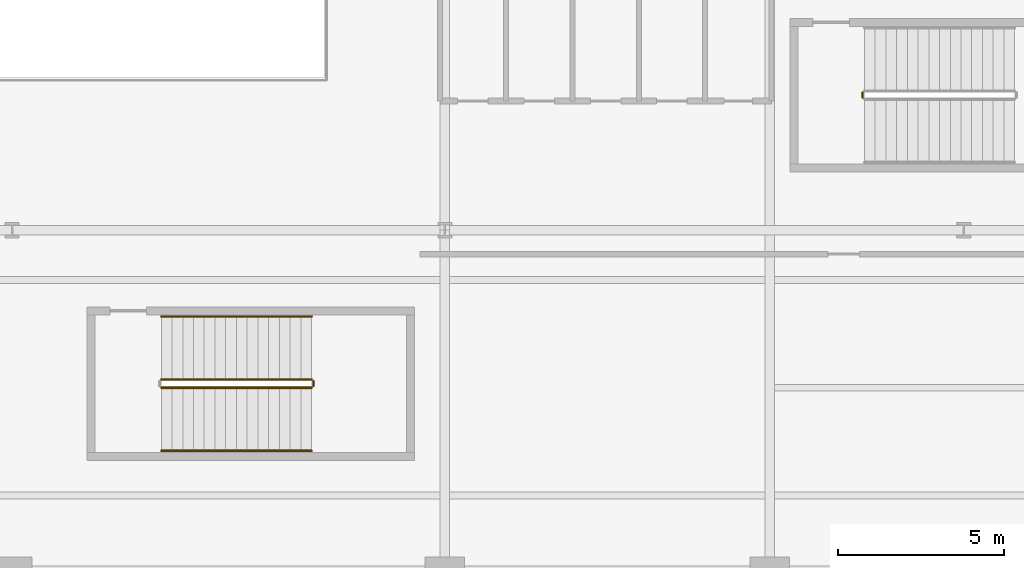
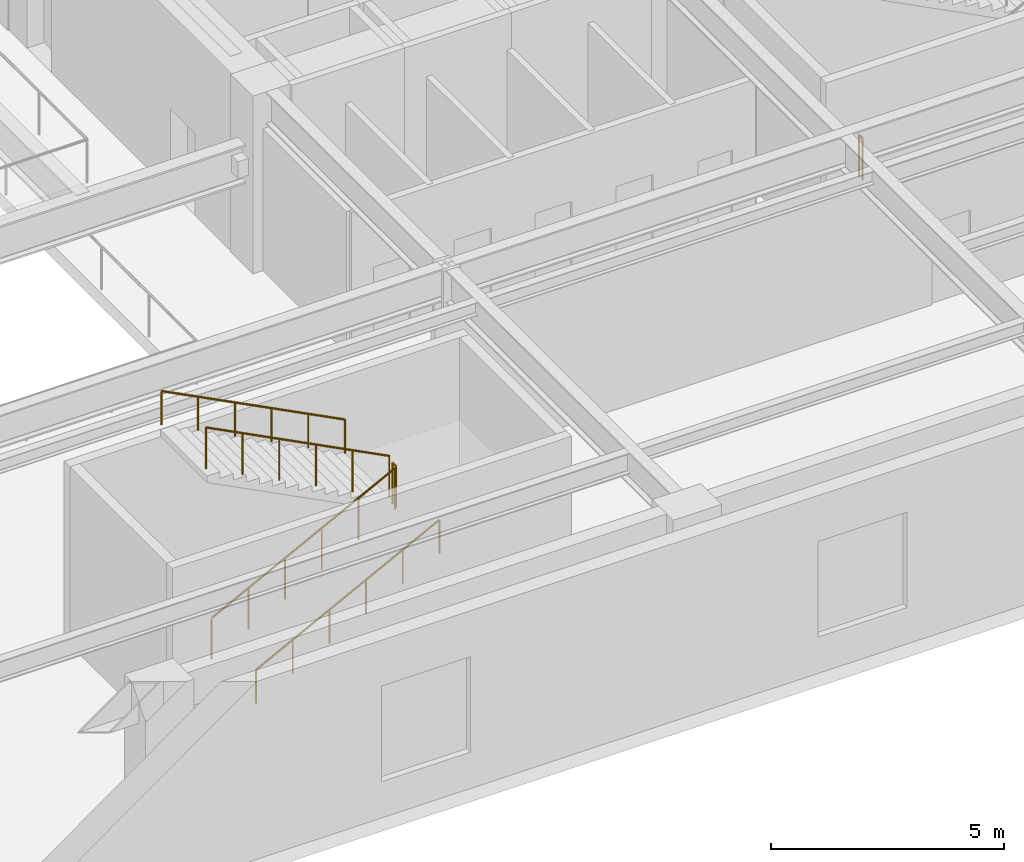
# One storey, part 15 of 21: 6 railings.
"""IFC4 building model written with IfcOpenShell, lengths in metres."""

from ifc_helpers import new_model, si_unit, direction, frame, origin, origin_2d, place, context, subcontext, project, spatial, circle, extrude, material, type_object, element, save


model = new_model("IFC4")

# Units and contexts
model_context = context("Model", 3, precision=1e-05, world=origin(), true_north=direction((0.0, 1.0)))
body_context = subcontext(model_context, "Body", "Model", "MODEL_VIEW")
ifc_project = project(units=[si_unit("LENGTHUNIT", "METRE"), si_unit("AREAUNIT", "SQUARE_METRE"), si_unit("VOLUMEUNIT", "CUBIC_METRE"), si_unit("PLANEANGLEUNIT", "RADIAN"), si_unit("MASSUNIT", "GRAM", prefix="KILO")], contexts=[model_context])

# Site, building, storey
site_placement = place(None, origin())
site = spatial("IfcSite", under=ifc_project, at=site_placement, CompositionType="ELEMENT")
building_placement = place(site_placement, origin())
building = spatial("IfcBuilding", under=site, at=building_placement, Name="Kolvaren Arena Tower", CompositionType="ELEMENT")
storey_placement = place(building_placement, frame((0.0, 0.0, 18.0)))
storey = spatial("IfcBuildingStorey", under=building, at=storey_placement, Name="L03", CompositionType="ELEMENT", Elevation=18.0)

# Railings
ifc_material_1 = material(Name="Painted galvanized steel", Category="steel")
railing_type_1 = type_object("IfcRailingType", Name="GUARD-ST-110", PredefinedType="GUARDRAIL", material=ifc_material_1)
railing_1_placement = place(storey_placement, frame((42.0, 6.75, 0.166748046875)))
element("IfcRailing", 1, at=railing_1_placement, inside=storey, type_object=railing_type_1, Name="L03 ST-A3 stair guard 1", PredefinedType="GUARDRAIL", context=body_context, shape_type="SweptSolid", body=[
    extrude(circle(Radius=0.02392578125, at=origin_2d()), frame((0.0, 0.0, 1.076171875), z_axis=(0.889247197123, 0.0, 0.45742695855), x_axis=(0.0, 1.0, 0.0)), (0.0, 0.0, 1.0), 5.100830078125),
    extrude(circle(Radius=0.02099609375, at=origin_2d()), origin(), (0.0, 0.0, 1.0), 1.052001953125),
    extrude(circle(Radius=0.02099609375, at=origin_2d()), frame((0.9072265625, 0.0, 0.466552734375)), (0.0, 0.0, 1.0), 1.052001953125),
    extrude(circle(Radius=0.02099609375, at=origin_2d()), frame((1.814453125, 0.0, 0.933349609375)), (0.0, 0.0, 1.0), 1.052001953125),
    extrude(circle(Radius=0.02099609375, at=origin_2d()), frame((2.721435546875, 0.0, 1.39990234375)), (0.0, 0.0, 1.0), 1.052001953125),
    extrude(circle(Radius=0.02099609375, at=origin_2d()), frame((3.628662109375, 0.0, 1.86669921875)), (0.0, 0.0, 1.0), 1.052001953125),
    extrude(circle(Radius=0.02099609375, at=origin_2d()), frame((4.535888671875, 0.0, 2.333251953125)), (0.0, 0.0, 1.0), 1.052001953125),
])
railing_2_placement = place(storey_placement, frame((46.5859375, 6.800048828125, 2.5)))
element("IfcRailing", 2, at=railing_2_placement, inside=storey, type_object=railing_type_1, Name="L03 ST-A3 stair guard 2", PredefinedType="GUARDRAIL", context=body_context, shape_type="SweptSolid", body=[
    extrude(circle(Radius=0.02392578125, at=origin_2d()), frame((0.0, 0.0, 1.076171875), z_axis=(0.0, 1.0, 0.0), x_axis=(-1.0, 0.0, 0.0)), (0.0, 0.0, 1.0), 0.14990234375),
    extrude(circle(Radius=0.02099609375, at=origin_2d()), origin(), (0.0, 0.0, 1.0), 1.052001953125),
    extrude(circle(Radius=0.02099609375, at=origin_2d()), frame((0.0, 0.14990234375, 0.0)), (0.0, 0.0, 1.0), 1.052001953125),
])
railing_3_placement = place(storey_placement, frame((46.535888671875, 7.0, 2.666748046875)))
element("IfcRailing", 3, at=railing_3_placement, inside=storey, type_object=railing_type_1, Name="L03 ST-A3 stair guard 3", PredefinedType="GUARDRAIL", context=body_context, shape_type="SweptSolid", body=[
    extrude(circle(Radius=0.02392578125, at=origin_2d()), frame((0.0, 0.0, 1.076171875), z_axis=(-0.889247197123, 0.0, 0.45742695855), x_axis=(0.0, -1.0, 0.0)), (0.0, 0.0, 1.0), 5.100830078125),
    extrude(circle(Radius=0.02099609375, at=origin_2d()), origin(), (0.0, 0.0, 1.0), 1.052001953125),
    extrude(circle(Radius=0.02099609375, at=origin_2d()), frame((-0.9072265625, 0.0, 0.466552734375)), (0.0, 0.0, 1.0), 1.052001953125),
    extrude(circle(Radius=0.02099609375, at=origin_2d()), frame((-1.814453125, 0.0, 0.933349609375)), (0.0, 0.0, 1.0), 1.052001953125),
    extrude(circle(Radius=0.02099609375, at=origin_2d()), frame((-2.721435546875, 0.0, 1.39990234375)), (0.0, 0.0, 1.0), 1.052001953125),
    extrude(circle(Radius=0.02099609375, at=origin_2d()), frame((-3.628662109375, 0.0, 1.86669921875)), (0.0, 0.0, 1.0), 1.052001953125),
    extrude(circle(Radius=0.02099609375, at=origin_2d()), frame((-4.535888671875, 0.0, 2.333251953125)), (0.0, 0.0, 1.0), 1.052001953125),
])
railing_4_placement = place(storey_placement, frame((63.14990234375, 15.5, 0.0)))
element("IfcRailing", 4, at=railing_4_placement, inside=storey, type_object=railing_type_1, Name="L03 ST-A4 stair guard 4", PredefinedType="GUARDRAIL", context=body_context, shape_type="SweptSolid", body=[
    extrude(circle(Radius=0.02392578125, at=origin_2d()), frame((0.0, 0.0, 1.076171875), z_axis=(0.0, 1.0, 0.0), x_axis=(-1.0, 0.0, 0.0)), (0.0, 0.0, 1.0), 0.14990234375),
    extrude(circle(Radius=0.02099609375, at=origin_2d()), origin(), (0.0, 0.0, 1.0), 1.052001953125),
    extrude(circle(Radius=0.02099609375, at=origin_2d()), frame((0.0, 0.14990234375, 0.0)), (0.0, 0.0, 1.0), 1.052001953125),
])
ifc_material_2 = material(Name="Brushed stainless steel handrail", Category="steel")
railing_type_2 = type_object("IfcRailingType", Name="HRAIL-900", PredefinedType="HANDRAIL", material=ifc_material_2)
railing_5_placement = place(storey_placement, frame((42.0, 4.85009765625, 0.166748046875)))
element("IfcRailing", 5, at=railing_5_placement, inside=storey, type_object=railing_type_2, Name="L03 ST-A3 stair handrail 1", PredefinedType="HANDRAIL", context=body_context, shape_type="SweptSolid", body=[
    extrude(circle(Radius=0.02392578125, at=origin_2d()), frame((0.0, 0.0, 0.8759765625), z_axis=(0.889247197123, 0.0, 0.45742695855), x_axis=(0.0, 1.0, 0.0)), (0.0, 0.0, 1.0), 5.100830078125),
    extrude(circle(Radius=0.02099609375, at=origin_2d()), origin(), (0.0, 0.0, 1.0), 0.851806640625),
    extrude(circle(Radius=0.02099609375, at=origin_2d()), frame((0.9072265625, 0.0, 0.466552734375)), (0.0, 0.0, 1.0), 0.851806640625),
    extrude(circle(Radius=0.02099609375, at=origin_2d()), frame((1.814453125, 0.0, 0.933349609375)), (0.0, 0.0, 1.0), 0.851806640625),
    extrude(circle(Radius=0.02099609375, at=origin_2d()), frame((2.721435546875, 0.0, 1.39990234375)), (0.0, 0.0, 1.0), 0.851806640625),
    extrude(circle(Radius=0.02099609375, at=origin_2d()), frame((3.628662109375, 0.0, 1.86669921875)), (0.0, 0.0, 1.0), 0.851806640625),
    extrude(circle(Radius=0.02099609375, at=origin_2d()), frame((4.535888671875, 0.0, 2.333251953125)), (0.0, 0.0, 1.0), 0.851806640625),
])
railing_6_placement = place(storey_placement, frame((46.535888671875, 8.89990234375, 2.666748046875)))
element("IfcRailing", 6, at=railing_6_placement, inside=storey, type_object=railing_type_2, Name="L03 ST-A3 stair handrail 2", PredefinedType="HANDRAIL", context=body_context, shape_type="SweptSolid", body=[
    extrude(circle(Radius=0.02392578125, at=origin_2d()), frame((0.0, 0.0, 0.8759765625), z_axis=(-0.889247197123, 0.0, 0.45742695855), x_axis=(0.0, -1.0, 0.0)), (0.0, 0.0, 1.0), 5.100830078125),
    extrude(circle(Radius=0.02099609375, at=origin_2d()), origin(), (0.0, 0.0, 1.0), 0.851806640625),
    extrude(circle(Radius=0.02099609375, at=origin_2d()), frame((-0.9072265625, 0.0, 0.466552734375)), (0.0, 0.0, 1.0), 0.851806640625),
    extrude(circle(Radius=0.02099609375, at=origin_2d()), frame((-1.814453125, 0.0, 0.933349609375)), (0.0, 0.0, 1.0), 0.851806640625),
    extrude(circle(Radius=0.02099609375, at=origin_2d()), frame((-2.721435546875, 0.0, 1.39990234375)), (0.0, 0.0, 1.0), 0.851806640625),
    extrude(circle(Radius=0.02099609375, at=origin_2d()), frame((-3.628662109375, 0.0, 1.86669921875)), (0.0, 0.0, 1.0), 0.851806640625),
    extrude(circle(Radius=0.02099609375, at=origin_2d()), frame((-4.535888671875, 0.0, 2.333251953125)), (0.0, 0.0, 1.0), 0.851806640625),
])

save(model, "model.ifc")
